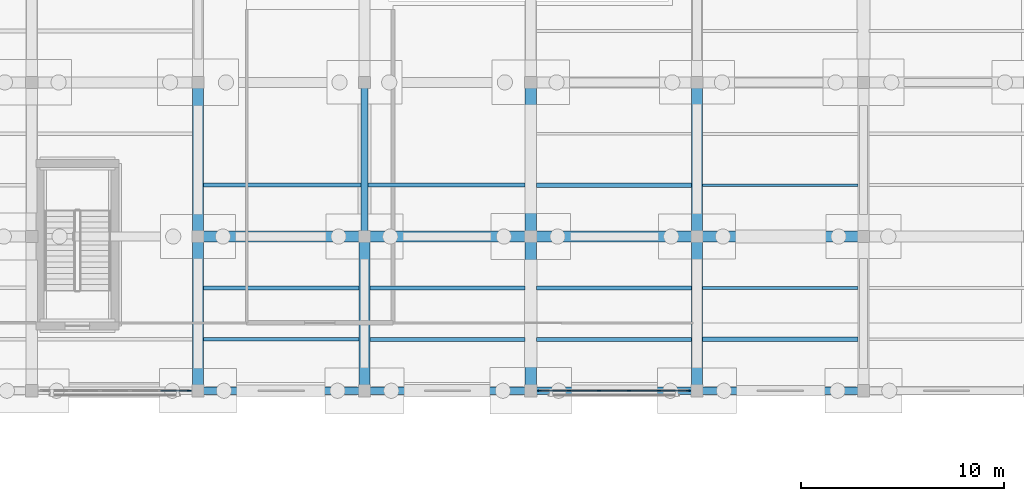
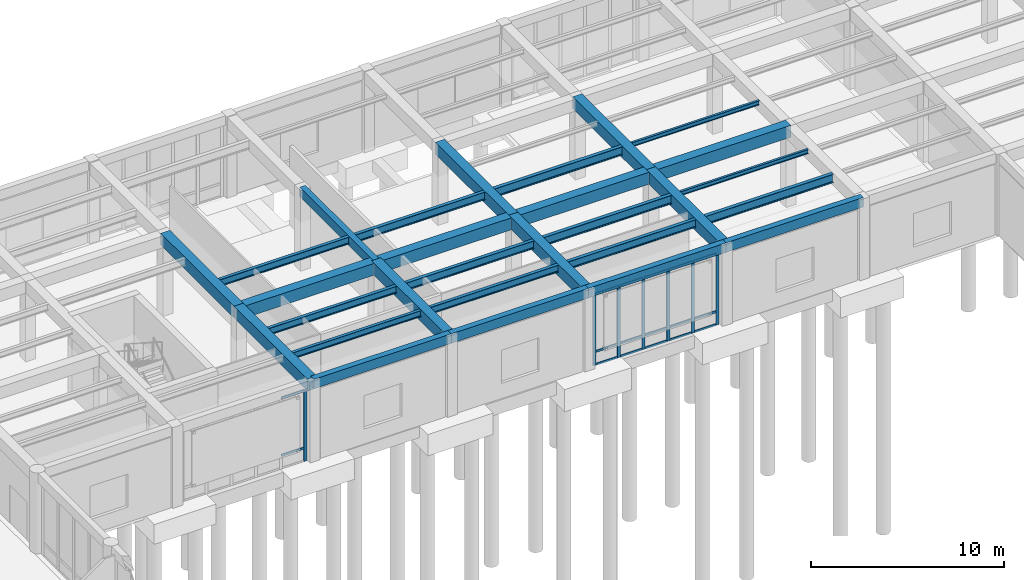
# One storey, part 27 of 64: 28 beams, 24 members, 2 elements without a shape of their own.
"""IFC4 building model written with IfcOpenShell, lengths in metres."""

from ifc_helpers import new_model, si_unit, direction, frame, origin, origin_2d, place, context, subcontext, project, spatial, rectangle, i_section, extrude, material, material_profile, profile_set, type_object, element, aggregate, save


model = new_model("IFC4")

# Units and contexts
model_context = context("Model", 3, precision=1e-05, world=origin(), true_north=direction((0.0, 1.0)))
body_context = subcontext(model_context, "Body", "Model", "MODEL_VIEW")
ifc_project = project(units=[si_unit("LENGTHUNIT", "METRE"), si_unit("AREAUNIT", "SQUARE_METRE"), si_unit("VOLUMEUNIT", "CUBIC_METRE"), si_unit("PLANEANGLEUNIT", "RADIAN"), si_unit("MASSUNIT", "GRAM", prefix="KILO")], contexts=[model_context])

# Site, building, storey
site_placement = place(None, origin())
site = spatial("IfcSite", under=ifc_project, at=site_placement, CompositionType="ELEMENT")
building_placement = place(site_placement, origin())
building = spatial("IfcBuilding", under=site, at=building_placement, Name="Qandaris Square Conservatory and Botanical Centre", CompositionType="ELEMENT")
storey_placement = place(building_placement, origin())
storey = spatial("IfcBuildingStorey", under=building, at=storey_placement, Name="L00", CompositionType="ELEMENT", Elevation=0.0)

# Beams
ifc_material_1 = material(Name="Steel S355", Category="steel")
ifc_material_profile_1 = material_profile(ifc_material_1, i_section(OverallWidth=0.18994140625, OverallDepth=0.449951171875, WebThickness=0.009521484375, FlangeThickness=0.0146484375, FilletRadius=0.02099609375, at=origin_2d()), Name="IPE 450")
ifc_profile_set_1 = profile_set([ifc_material_profile_1], Name="Steel S355")
beam_type_1 = type_object("IfcBeamType", Name="Composite Archive Joist IPE 450", PredefinedType="JOIST", material=ifc_profile_set_1)
beam_1_placement = place(storey_placement, frame((73.875, 97.666748046875, 4.864990234375), z_axis=(1.0, 0.0, 0.0), x_axis=(0.0, 1.0, 0.0)))
element("IfcBeam", 1, at=beam_1_placement, inside=storey, type_object=beam_type_1, Name="L00 Composite Joist 0728", PredefinedType="JOIST", context=body_context, shape_type="SweptSolid", body=[
    extrude(i_section(OverallWidth=0.18994140625, OverallDepth=0.449951171875, WebThickness=0.009521484375, FlangeThickness=0.0146484375, FilletRadius=0.02099609375, at=origin_2d()), origin(), (0.0, 0.0, 1.0), 7.64990234375),
])
beam_2_placement = place(storey_placement, frame((73.875, 102.7333984375, 4.864990234375), z_axis=(1.0, 0.0, 0.0), x_axis=(0.0, 1.0, 0.0)))
element("IfcBeam", 2, at=beam_2_placement, inside=storey, type_object=beam_type_1, Name="L00 Composite Joist 0729", PredefinedType="JOIST", context=body_context, shape_type="SweptSolid", body=[
    extrude(i_section(OverallWidth=0.18994140625, OverallDepth=0.449951171875, WebThickness=0.009521484375, FlangeThickness=0.0146484375, FilletRadius=0.02099609375, at=origin_2d()), origin(), (0.0, 0.0, 1.0), 7.75),
])
beam_3_placement = place(storey_placement, frame((82.074951171875, 95.13330078125, 4.864990234375), z_axis=(1.0, 0.0, 0.0), x_axis=(0.0, 1.0, 0.0)))
element("IfcBeam", 3, at=beam_3_placement, inside=storey, type_object=beam_type_1, Name="L00 Composite Joist 0731", PredefinedType="JOIST", context=body_context, shape_type="SweptSolid", body=[
    extrude(i_section(OverallWidth=0.18994140625, OverallDepth=0.449951171875, WebThickness=0.009521484375, FlangeThickness=0.0146484375, FilletRadius=0.02099609375, at=origin_2d()), origin(), (0.0, 0.0, 1.0), 7.650146484375),
])
ifc_material_profile_2 = material_profile(ifc_material_1, i_section(OverallWidth=0.199951171875, OverallDepth=0.5, WebThickness=0.01025390625, FlangeThickness=0.01611328125, FilletRadius=0.02099609375, at=origin_2d()), Name="IPE 500")
ifc_profile_set_2 = profile_set([ifc_material_profile_2], Name="Steel S355")
beam_type_2 = type_object("IfcBeamType", Name="Composite Gallery Joist IPE 500", PredefinedType="JOIST", material=ifc_profile_set_2)
beam_4_placement = place(storey_placement, frame((82.074951171875, 97.666748046875, 4.840087890625), z_axis=(1.0, 0.0, 0.0), x_axis=(0.0, 1.0, 0.0)))
element("IfcBeam", 4, at=beam_4_placement, inside=storey, type_object=beam_type_2, Name="L00 Composite Joist 0732", PredefinedType="JOIST", context=body_context, shape_type="SweptSolid", body=[
    extrude(i_section(OverallWidth=0.199951171875, OverallDepth=0.5, WebThickness=0.01025390625, FlangeThickness=0.01611328125, FilletRadius=0.02099609375, at=origin_2d()), origin(), (0.0, 0.0, 1.0), 7.650146484375),
])
beam_5_placement = place(storey_placement, frame((81.97509765625, 102.7333984375, 4.840087890625), z_axis=(1.0, 0.0, 0.0), x_axis=(0.0, 1.0, 0.0)))
element("IfcBeam", 5, at=beam_5_placement, inside=storey, type_object=beam_type_2, Name="L00 Composite Joist 0733", PredefinedType="JOIST", context=body_context, shape_type="SweptSolid", body=[
    extrude(i_section(OverallWidth=0.199951171875, OverallDepth=0.5, WebThickness=0.01025390625, FlangeThickness=0.01611328125, FilletRadius=0.02099609375, at=origin_2d()), origin(), (0.0, 0.0, 1.0), 7.75),
])
beam_6_placement = place(storey_placement, frame((90.27490234375, 95.13330078125, 4.840087890625), z_axis=(1.0, 0.0, 0.0), x_axis=(0.0, 1.0, 0.0)))
element("IfcBeam", 6, at=beam_6_placement, inside=storey, type_object=beam_type_2, Name="L00 Composite Joist 0735", PredefinedType="JOIST", context=body_context, shape_type="SweptSolid", body=[
    extrude(i_section(OverallWidth=0.199951171875, OverallDepth=0.5, WebThickness=0.01025390625, FlangeThickness=0.01611328125, FilletRadius=0.02099609375, at=origin_2d()), origin(), (0.0, 0.0, 1.0), 7.650146484375),
])
ifc_material_profile_3 = material_profile(ifc_material_1, i_section(OverallWidth=0.179931640625, OverallDepth=0.39990234375, WebThickness=0.008544921875, FlangeThickness=0.013427734375, FilletRadius=0.02099609375, at=origin_2d()), Name="IPE 400")
ifc_profile_set_3 = profile_set([ifc_material_profile_3], Name="Steel S355")
beam_type_3 = type_object("IfcBeamType", Name="Composite Plinth Joist IPE 400", PredefinedType="JOIST", material=ifc_profile_set_3)
beam_7_placement = place(storey_placement, frame((73.875, 95.13330078125, 4.889892578125), z_axis=(1.0, 0.0, 0.0), x_axis=(0.0, 1.0, 0.0)))
element("IfcBeam", 7, at=beam_7_placement, inside=storey, type_object=beam_type_3, Name="L00 Composite Joist 0727", PredefinedType="JOIST", context=body_context, shape_type="SweptSolid", body=[
    extrude(i_section(OverallWidth=0.179931640625, OverallDepth=0.39990234375, WebThickness=0.008544921875, FlangeThickness=0.013427734375, FilletRadius=0.02099609375, at=origin_2d()), origin(), (0.0, 0.0, 1.0), 7.64990234375),
])

# Curtain wall, member
ifc_material_2 = material(Name="Anodised Aluminium", Category="aluminium")
curtain_wall_type = type_object("IfcCurtainWallType", Name="Unitised Curtain Wall CW-5-740x450", PredefinedType="USERDEFINED", material=ifc_material_2)
curtain_wall_1_placement = place(storey_placement, origin())
curtain_wall_1 = element("IfcCurtainWall", 8, at=curtain_wall_1_placement, inside=storey, type_object=curtain_wall_type, Name="Curtain Wall CW-V3B-L00-1-2", ObjectType="GLAZED CURTAIN WALL", PredefinedType="USERDEFINED")
ifc_material_profile_4 = material_profile(ifc_material_2, rectangle(XDim=0.06494140625, YDim=0.179931640625, at=origin_2d()), Name="ALU-MUL 65x180")
ifc_profile_set_4 = profile_set([ifc_material_profile_4], Name="Anodised Aluminium")
member_type_1 = type_object("IfcMemberType", Name="Curtain Wall Mullion 65x180", PredefinedType="MULLION", material=ifc_profile_set_4)
member_1_placement = place(storey_placement, frame((73.16748046875, 92.60009765625, 0.0), z_axis=(0.0, 0.0, 1.0), x_axis=(0.0, 1.0, 0.0)))
member_1 = element("IfcMember", 9, at=member_1_placement, type_object=member_type_1, Name="CW-5-740x450 mullion 6", PredefinedType="MULLION", context=body_context, shape_type="SweptSolid", body=[
    extrude(rectangle(XDim=0.06494140625, YDim=0.179931640625, at=origin_2d()), origin(), (0.0, 0.0, 1.0), 4.5),
])

# Curtain wall, members
curtain_wall_2_placement = place(storey_placement, origin())
curtain_wall_2 = element("IfcCurtainWall", 10, at=curtain_wall_2_placement, inside=storey, type_object=curtain_wall_type, Name="Curtain Wall CW-V3B-L00-1-5", ObjectType="GLAZED CURTAIN WALL", PredefinedType="USERDEFINED")
member_2_placement = place(storey_placement, frame((90.4326171875, 92.60009765625, 0.0), z_axis=(0.0, 0.0, 1.0), x_axis=(0.0, 1.0, 0.0)))
member_2 = element("IfcMember", 11, at=member_2_placement, type_object=member_type_1, Name="CW-5-740x450 mullion 1", PredefinedType="MULLION", context=body_context, shape_type="SweptSolid", body=[
    extrude(rectangle(XDim=0.06494140625, YDim=0.179931640625, at=origin_2d()), origin(), (0.0, 0.0, 1.0), 4.5),
])
member_3_placement = place(storey_placement, frame((91.8798828125, 92.60009765625, 0.0), z_axis=(0.0, 0.0, 1.0), x_axis=(0.0, 1.0, 0.0)))
member_3 = element("IfcMember", 12, at=member_3_placement, type_object=member_type_1, Name="CW-5-740x450 mullion 2", PredefinedType="MULLION", context=body_context, shape_type="SweptSolid", body=[
    extrude(rectangle(XDim=0.06494140625, YDim=0.179931640625, at=origin_2d()), origin(), (0.0, 0.0, 1.0), 4.5),
])
member_4_placement = place(storey_placement, frame((93.360107421875, 92.60009765625, 0.0), z_axis=(0.0, 0.0, 1.0), x_axis=(0.0, 1.0, 0.0)))
member_4 = element("IfcMember", 13, at=member_4_placement, type_object=member_type_1, Name="CW-5-740x450 mullion 3", PredefinedType="MULLION", context=body_context, shape_type="SweptSolid", body=[
    extrude(rectangle(XDim=0.06494140625, YDim=0.179931640625, at=origin_2d()), origin(), (0.0, 0.0, 1.0), 4.5),
])
member_5_placement = place(storey_placement, frame((94.840087890625, 92.60009765625, 0.0), z_axis=(0.0, 0.0, 1.0), x_axis=(0.0, 1.0, 0.0)))
member_5 = element("IfcMember", 14, at=member_5_placement, type_object=member_type_1, Name="CW-5-740x450 mullion 4", PredefinedType="MULLION", context=body_context, shape_type="SweptSolid", body=[
    extrude(rectangle(XDim=0.06494140625, YDim=0.179931640625, at=origin_2d()), origin(), (0.0, 0.0, 1.0), 4.5),
])
member_6_placement = place(storey_placement, frame((96.320068359375, 92.60009765625, 0.0), z_axis=(0.0, 0.0, 1.0), x_axis=(0.0, 1.0, 0.0)))
member_6 = element("IfcMember", 15, at=member_6_placement, type_object=member_type_1, Name="CW-5-740x450 mullion 5", PredefinedType="MULLION", context=body_context, shape_type="SweptSolid", body=[
    extrude(rectangle(XDim=0.06494140625, YDim=0.179931640625, at=origin_2d()), origin(), (0.0, 0.0, 1.0), 4.5),
])
member_7_placement = place(storey_placement, frame((97.767578125, 92.60009765625, 0.0), z_axis=(0.0, 0.0, 1.0), x_axis=(0.0, 1.0, 0.0)))
member_7 = element("IfcMember", 16, at=member_7_placement, type_object=member_type_1, Name="CW-5-740x450 mullion 6", PredefinedType="MULLION", context=body_context, shape_type="SweptSolid", body=[
    extrude(rectangle(XDim=0.06494140625, YDim=0.179931640625, at=origin_2d()), origin(), (0.0, 0.0, 1.0), 4.5),
])

# Member
ifc_material_profile_5 = material_profile(ifc_material_2, rectangle(XDim=0.06494140625, YDim=0.139892578125, at=origin_2d()), Name="ALU-TRN 65x140")
ifc_profile_set_5 = profile_set([ifc_material_profile_5], Name="Anodised Aluminium")
member_type_2 = type_object("IfcMemberType", Name="Curtain Wall Transom 65x140", PredefinedType="USERDEFINED", material=ifc_profile_set_5)
member_8_placement = place(storey_placement, frame((71.75244140625, 92.60009765625, 0.85009765625), z_axis=(1.0, 0.0, 0.0), x_axis=(0.0, 1.0, 0.0)))
member_8 = element("IfcMember", 17, at=member_8_placement, type_object=member_type_2, Name="CW-5-740x450 transom 5.2", ObjectType="TRANSOM", PredefinedType="USERDEFINED", context=body_context, shape_type="SweptSolid", body=[
    extrude(rectangle(XDim=0.06494140625, YDim=0.139892578125, at=origin_2d()), origin(), (0.0, 0.0, 1.0), 1.382568359375),
])

member_9_placement = place(storey_placement, frame((71.75244140625, 92.60009765625, 4.467529296875), z_axis=(1.0, 0.0, 0.0), x_axis=(0.0, 1.0, 0.0)))
member_9 = element("IfcMember", 18, at=member_9_placement, type_object=member_type_2, Name="CW-5-740x450 transom 5.3", ObjectType="TRANSOM", PredefinedType="USERDEFINED", context=body_context, shape_type="SweptSolid", body=[
    extrude(rectangle(XDim=0.06494140625, YDim=0.139892578125, at=origin_2d()), origin(), (0.0, 0.0, 1.0), 1.382568359375),
])

aggregate(curtain_wall_1, [member_1, member_8, member_9])

member_10_placement = place(storey_placement, frame((90.465087890625, 92.60009765625, 0.032470703125), z_axis=(1.0, 0.0, 0.0), x_axis=(0.0, 1.0, 0.0)))
member_10 = element("IfcMember", 19, at=member_10_placement, type_object=member_type_2, Name="CW-5-740x450 transom 1.1", ObjectType="TRANSOM", PredefinedType="USERDEFINED", context=body_context, shape_type="SweptSolid", body=[
    extrude(rectangle(XDim=0.06494140625, YDim=0.139892578125, at=origin_2d()), origin(), (0.0, 0.0, 1.0), 1.38232421875),
])

member_11_placement = place(storey_placement, frame((90.465087890625, 92.60009765625, 0.85009765625), z_axis=(1.0, 0.0, 0.0), x_axis=(0.0, 1.0, 0.0)))
member_11 = element("IfcMember", 20, at=member_11_placement, type_object=member_type_2, Name="CW-5-740x450 transom 1.2", ObjectType="TRANSOM", PredefinedType="USERDEFINED", context=body_context, shape_type="SweptSolid", body=[
    extrude(rectangle(XDim=0.06494140625, YDim=0.139892578125, at=origin_2d()), origin(), (0.0, 0.0, 1.0), 1.38232421875),
])

member_12_placement = place(storey_placement, frame((90.465087890625, 92.60009765625, 4.467529296875), z_axis=(1.0, 0.0, 0.0), x_axis=(0.0, 1.0, 0.0)))
member_12 = element("IfcMember", 21, at=member_12_placement, type_object=member_type_2, Name="CW-5-740x450 transom 1.3", ObjectType="TRANSOM", PredefinedType="USERDEFINED", context=body_context, shape_type="SweptSolid", body=[
    extrude(rectangle(XDim=0.06494140625, YDim=0.139892578125, at=origin_2d()), origin(), (0.0, 0.0, 1.0), 1.38232421875),
])

member_13_placement = place(storey_placement, frame((91.91259765625, 92.60009765625, 0.032470703125), z_axis=(1.0, 0.0, 0.0), x_axis=(0.0, 1.0, 0.0)))
member_13 = element("IfcMember", 22, at=member_13_placement, type_object=member_type_2, Name="CW-5-740x450 transom 2.1", ObjectType="TRANSOM", PredefinedType="USERDEFINED", context=body_context, shape_type="SweptSolid", body=[
    extrude(rectangle(XDim=0.06494140625, YDim=0.139892578125, at=origin_2d()), origin(), (0.0, 0.0, 1.0), 1.414794921875),
])

member_14_placement = place(storey_placement, frame((91.91259765625, 92.60009765625, 0.85009765625), z_axis=(1.0, 0.0, 0.0), x_axis=(0.0, 1.0, 0.0)))
member_14 = element("IfcMember", 23, at=member_14_placement, type_object=member_type_2, Name="CW-5-740x450 transom 2.2", ObjectType="TRANSOM", PredefinedType="USERDEFINED", context=body_context, shape_type="SweptSolid", body=[
    extrude(rectangle(XDim=0.06494140625, YDim=0.139892578125, at=origin_2d()), origin(), (0.0, 0.0, 1.0), 1.414794921875),
])

member_15_placement = place(storey_placement, frame((91.91259765625, 92.60009765625, 4.467529296875), z_axis=(1.0, 0.0, 0.0), x_axis=(0.0, 1.0, 0.0)))
member_15 = element("IfcMember", 24, at=member_15_placement, type_object=member_type_2, Name="CW-5-740x450 transom 2.3", ObjectType="TRANSOM", PredefinedType="USERDEFINED", context=body_context, shape_type="SweptSolid", body=[
    extrude(rectangle(XDim=0.06494140625, YDim=0.139892578125, at=origin_2d()), origin(), (0.0, 0.0, 1.0), 1.414794921875),
])

member_16_placement = place(storey_placement, frame((93.392578125, 92.60009765625, 0.032470703125), z_axis=(1.0, 0.0, 0.0), x_axis=(0.0, 1.0, 0.0)))
member_16 = element("IfcMember", 25, at=member_16_placement, type_object=member_type_2, Name="CW-5-740x450 transom 3.1", ObjectType="TRANSOM", PredefinedType="USERDEFINED", context=body_context, shape_type="SweptSolid", body=[
    extrude(rectangle(XDim=0.06494140625, YDim=0.139892578125, at=origin_2d()), origin(), (0.0, 0.0, 1.0), 1.4150390625),
])

member_17_placement = place(storey_placement, frame((93.392578125, 92.60009765625, 0.85009765625), z_axis=(1.0, 0.0, 0.0), x_axis=(0.0, 1.0, 0.0)))
member_17 = element("IfcMember", 26, at=member_17_placement, type_object=member_type_2, Name="CW-5-740x450 transom 3.2", ObjectType="TRANSOM", PredefinedType="USERDEFINED", context=body_context, shape_type="SweptSolid", body=[
    extrude(rectangle(XDim=0.06494140625, YDim=0.139892578125, at=origin_2d()), origin(), (0.0, 0.0, 1.0), 1.4150390625),
])

member_18_placement = place(storey_placement, frame((93.392578125, 92.60009765625, 4.467529296875), z_axis=(1.0, 0.0, 0.0), x_axis=(0.0, 1.0, 0.0)))
member_18 = element("IfcMember", 27, at=member_18_placement, type_object=member_type_2, Name="CW-5-740x450 transom 3.3", ObjectType="TRANSOM", PredefinedType="USERDEFINED", context=body_context, shape_type="SweptSolid", body=[
    extrude(rectangle(XDim=0.06494140625, YDim=0.139892578125, at=origin_2d()), origin(), (0.0, 0.0, 1.0), 1.4150390625),
])

member_19_placement = place(storey_placement, frame((94.87255859375, 92.60009765625, 0.032470703125), z_axis=(1.0, 0.0, 0.0), x_axis=(0.0, 1.0, 0.0)))
member_19 = element("IfcMember", 28, at=member_19_placement, type_object=member_type_2, Name="CW-5-740x450 transom 4.1", ObjectType="TRANSOM", PredefinedType="USERDEFINED", context=body_context, shape_type="SweptSolid", body=[
    extrude(rectangle(XDim=0.06494140625, YDim=0.139892578125, at=origin_2d()), origin(), (0.0, 0.0, 1.0), 1.4150390625),
])

member_20_placement = place(storey_placement, frame((94.87255859375, 92.60009765625, 0.85009765625), z_axis=(1.0, 0.0, 0.0), x_axis=(0.0, 1.0, 0.0)))
member_20 = element("IfcMember", 29, at=member_20_placement, type_object=member_type_2, Name="CW-5-740x450 transom 4.2", ObjectType="TRANSOM", PredefinedType="USERDEFINED", context=body_context, shape_type="SweptSolid", body=[
    extrude(rectangle(XDim=0.06494140625, YDim=0.139892578125, at=origin_2d()), origin(), (0.0, 0.0, 1.0), 1.4150390625),
])

member_21_placement = place(storey_placement, frame((94.87255859375, 92.60009765625, 4.467529296875), z_axis=(1.0, 0.0, 0.0), x_axis=(0.0, 1.0, 0.0)))
member_21 = element("IfcMember", 30, at=member_21_placement, type_object=member_type_2, Name="CW-5-740x450 transom 4.3", ObjectType="TRANSOM", PredefinedType="USERDEFINED", context=body_context, shape_type="SweptSolid", body=[
    extrude(rectangle(XDim=0.06494140625, YDim=0.139892578125, at=origin_2d()), origin(), (0.0, 0.0, 1.0), 1.4150390625),
])

member_22_placement = place(storey_placement, frame((96.3525390625, 92.60009765625, 0.032470703125), z_axis=(1.0, 0.0, 0.0), x_axis=(0.0, 1.0, 0.0)))
member_22 = element("IfcMember", 31, at=member_22_placement, type_object=member_type_2, Name="CW-5-740x450 transom 5.1", ObjectType="TRANSOM", PredefinedType="USERDEFINED", context=body_context, shape_type="SweptSolid", body=[
    extrude(rectangle(XDim=0.06494140625, YDim=0.139892578125, at=origin_2d()), origin(), (0.0, 0.0, 1.0), 1.382568359375),
])

member_23_placement = place(storey_placement, frame((96.3525390625, 92.60009765625, 0.85009765625), z_axis=(1.0, 0.0, 0.0), x_axis=(0.0, 1.0, 0.0)))
member_23 = element("IfcMember", 32, at=member_23_placement, type_object=member_type_2, Name="CW-5-740x450 transom 5.2", ObjectType="TRANSOM", PredefinedType="USERDEFINED", context=body_context, shape_type="SweptSolid", body=[
    extrude(rectangle(XDim=0.06494140625, YDim=0.139892578125, at=origin_2d()), origin(), (0.0, 0.0, 1.0), 1.382568359375),
])

member_24_placement = place(storey_placement, frame((96.3525390625, 92.60009765625, 4.467529296875), z_axis=(1.0, 0.0, 0.0), x_axis=(0.0, 1.0, 0.0)))
member_24 = element("IfcMember", 33, at=member_24_placement, type_object=member_type_2, Name="CW-5-740x450 transom 5.3", ObjectType="TRANSOM", PredefinedType="USERDEFINED", context=body_context, shape_type="SweptSolid", body=[
    extrude(rectangle(XDim=0.06494140625, YDim=0.139892578125, at=origin_2d()), origin(), (0.0, 0.0, 1.0), 1.382568359375),
])

aggregate(curtain_wall_2, [member_2, member_3, member_4, member_5, member_6, member_7, member_10, member_11, member_12, member_13, member_14, member_15, member_16, member_17, member_18, member_19, member_20, member_21, member_22, member_23, member_24])

# Beams
ifc_material_profile_6 = material_profile(ifc_material_1, i_section(OverallWidth=0.2099609375, OverallDepth=0.550048828125, WebThickness=0.010986328125, FlangeThickness=0.01708984375, FilletRadius=0.02392578125, at=origin_2d()), Name="IPE 550")
ifc_profile_set_6 = profile_set([ifc_material_profile_6], Name="Steel S355")
beam_type_4 = type_object("IfcBeamType", Name="Long-Span Foyer Joist IPE 550", PredefinedType="JOIST", material=ifc_profile_set_6)
for number, where, z_axis, x_axis, name in (
    (34, (90.27490234375, 97.666748046875, 4.81494140625), (1.0, 0.0, 0.0), (0.0, 1.0, 0.0), "L00 Composite Joist 0736"),
    (35, (90.27490234375, 102.7333984375, 4.81494140625), (1.0, 0.0, 0.0), (0.0, 1.0, 0.0), "L00 Composite Joist 0737"),
):
    element("IfcBeam", number, at=place(storey_placement, frame(where, z_axis=z_axis, x_axis=x_axis)), inside=storey, type_object=beam_type_4, Name=name, PredefinedType="JOIST", context=body_context, shape_type="SweptSolid", body=[
        extrude(i_section(OverallWidth=0.2099609375, OverallDepth=0.550048828125, WebThickness=0.010986328125, FlangeThickness=0.01708984375, FilletRadius=0.02392578125, at=origin_2d()), origin(), (0.0, 0.0, 1.0), 7.650146484375),
    ])
beam_8_placement = place(storey_placement, frame((98.47509765625, 95.13330078125, 4.81494140625), z_axis=(1.0, 0.0, 0.0), x_axis=(0.0, 1.0, 0.0)))
element("IfcBeam", 36, at=beam_8_placement, inside=storey, type_object=beam_type_4, Name="L00 Composite Joist 0747", PredefinedType="JOIST", context=body_context, shape_type="SweptSolid", body=[
    extrude(i_section(OverallWidth=0.2099609375, OverallDepth=0.550048828125, WebThickness=0.010986328125, FlangeThickness=0.01708984375, FilletRadius=0.02392578125, at=origin_2d()), origin(), (0.0, 0.0, 1.0), 7.64990234375),
])
ifc_material_3 = material(Name="Concrete C50/60", Category="concrete")
ifc_material_profile_7 = material_profile(ifc_material_3, rectangle(XDim=0.35009765625, YDim=0.60009765625, at=origin_2d()), Name="RC-SP 350x600")
ifc_profile_set_7 = profile_set([ifc_material_profile_7], Name="Concrete C50/60")
beam_type_5 = type_object("IfcBeamType", Name="RC Edge Spandrel Beam 350x600", PredefinedType="SPANDREL", material=ifc_profile_set_7)
for number, where, z_axis, x_axis, name in (
    (37, (73.60009765625, 92.60009765625, 4.800048828125), (1.0, 0.0, 0.0), (0.0, 1.0, 0.0), "L00 Frame Beam 0445"),
    (38, (81.800048828125, 92.60009765625, 4.800048828125), (1.0, 0.0, 0.0), (0.0, 1.0, 0.0), "L00 Frame Beam 0446"),
    (39, (90.0, 92.60009765625, 4.800048828125), (1.0, 0.0, 0.0), (0.0, 1.0, 0.0), "L00 Frame Beam 0447"),
    (40, (98.199951171875, 92.60009765625, 4.800048828125), (1.0, 0.0, 0.0), (0.0, 1.0, 0.0), "L00 Frame Beam 0448"),
):
    element("IfcBeam", number, at=place(storey_placement, frame(where, z_axis=z_axis, x_axis=x_axis)), inside=storey, type_object=beam_type_5, Name=name, PredefinedType="SPANDREL", context=body_context, shape_type="SweptSolid", body=[
        extrude(rectangle(XDim=0.35009765625, YDim=0.60009765625, at=origin_2d()), origin(), (0.0, 0.0, 1.0), 8.199951171875),
    ])
beam_9_placement = place(storey_placement, frame((81.800048828125, 100.199951171875, 4.800048828125), z_axis=(0.0, 1.0, 0.0), x_axis=(-1.0, 0.0, 0.0)))
element("IfcBeam", 41, at=beam_9_placement, inside=storey, type_object=beam_type_5, Name="L00 Frame Beam 0569", PredefinedType="SPANDREL", context=body_context, shape_type="SweptSolid", body=[
    extrude(rectangle(XDim=0.35009765625, YDim=0.60009765625, at=origin_2d()), origin(), (0.0, 0.0, 1.0), 7.60009765625),
])
ifc_material_profile_8 = material_profile(ifc_material_3, rectangle(XDim=0.550048828125, YDim=0.75, at=origin_2d()), Name="RC-BM 550x750")
ifc_profile_set_8 = profile_set([ifc_material_profile_8], Name="Concrete C50/60")
beam_type_6 = type_object("IfcBeamType", Name="RC Plinth Girder 550x750", PredefinedType="BEAM", material=ifc_profile_set_8)
for number, where, z_axis, x_axis, name in (
    (42, (73.60009765625, 100.199951171875, 4.72509765625), (1.0, 0.0, 0.0), (0.0, 1.0, 0.0), "L00 Frame Beam 0459"),
    (43, (81.800048828125, 100.199951171875, 4.72509765625), (1.0, 0.0, 0.0), (0.0, 1.0, 0.0), "L00 Frame Beam 0460"),
    (44, (90.0, 100.199951171875, 4.72509765625), (1.0, 0.0, 0.0), (0.0, 1.0, 0.0), "L00 Frame Beam 0461"),
    (45, (98.199951171875, 100.199951171875, 4.72509765625), (1.0, 0.0, 0.0), (0.0, 1.0, 0.0), "L00 Frame Beam 0462"),
):
    element("IfcBeam", number, at=place(storey_placement, frame(where, z_axis=z_axis, x_axis=x_axis)), inside=storey, type_object=beam_type_6, Name=name, PredefinedType="BEAM", context=body_context, shape_type="SweptSolid", body=[
        extrude(rectangle(XDim=0.550048828125, YDim=0.75, at=origin_2d()), origin(), (0.0, 0.0, 1.0), 8.199951171875),
    ])
beam_10_placement = place(storey_placement, frame((73.60009765625, 92.60009765625, 4.72509765625), z_axis=(0.0, 1.0, 0.0), x_axis=(-1.0, 0.0, 0.0)))
element("IfcBeam", 46, at=beam_10_placement, inside=storey, type_object=beam_type_6, Name="L00 Frame Beam 0564", PredefinedType="BEAM", context=body_context, shape_type="SweptSolid", body=[
    extrude(rectangle(XDim=0.550048828125, YDim=0.75, at=origin_2d()), origin(), (0.0, 0.0, 1.0), 7.599853515625),
])
beam_11_placement = place(storey_placement, frame((73.60009765625, 100.199951171875, 4.72509765625), z_axis=(0.0, 1.0, 0.0), x_axis=(-1.0, 0.0, 0.0)))
element("IfcBeam", 47, at=beam_11_placement, inside=storey, type_object=beam_type_6, Name="L00 Frame Beam 0565", PredefinedType="BEAM", context=body_context, shape_type="SweptSolid", body=[
    extrude(rectangle(XDim=0.550048828125, YDim=0.75, at=origin_2d()), origin(), (0.0, 0.0, 1.0), 7.60009765625),
])
for number, where, z_axis, x_axis, name in (
    (48, (81.800048828125, 92.60009765625, 4.72509765625), (0.0, 1.0, 0.0), (-1.0, 0.0, 0.0), "L00 Frame Beam 0568"),
    (49, (90.0, 92.60009765625, 4.72509765625), (0.0, 1.0, 0.0), (-1.0, 0.0, 0.0), "L00 Frame Beam 0572"),
):
    element("IfcBeam", number, at=place(storey_placement, frame(where, z_axis=z_axis, x_axis=x_axis)), inside=storey, type_object=beam_type_6, Name=name, PredefinedType="BEAM", context=body_context, shape_type="SweptSolid", body=[
        extrude(rectangle(XDim=0.550048828125, YDim=0.75, at=origin_2d()), origin(), (0.0, 0.0, 1.0), 7.599853515625),
    ])
beam_12_placement = place(storey_placement, frame((90.0, 100.199951171875, 4.72509765625), z_axis=(0.0, 1.0, 0.0), x_axis=(-1.0, 0.0, 0.0)))
element("IfcBeam", 50, at=beam_12_placement, inside=storey, type_object=beam_type_6, Name="L00 Frame Beam 0573", PredefinedType="BEAM", context=body_context, shape_type="SweptSolid", body=[
    extrude(rectangle(XDim=0.550048828125, YDim=0.75, at=origin_2d()), origin(), (0.0, 0.0, 1.0), 7.60009765625),
])
beam_13_placement = place(storey_placement, frame((98.199951171875, 92.60009765625, 4.72509765625), z_axis=(0.0, 1.0, 0.0), x_axis=(-1.0, 0.0, 0.0)))
element("IfcBeam", 51, at=beam_13_placement, inside=storey, type_object=beam_type_6, Name="L00 Frame Beam 0579", PredefinedType="BEAM", context=body_context, shape_type="SweptSolid", body=[
    extrude(rectangle(XDim=0.550048828125, YDim=0.75, at=origin_2d()), origin(), (0.0, 0.0, 1.0), 7.599853515625),
])
beam_14_placement = place(storey_placement, frame((98.199951171875, 100.199951171875, 4.72509765625), z_axis=(0.0, 1.0, 0.0), x_axis=(-1.0, 0.0, 0.0)))
element("IfcBeam", 52, at=beam_14_placement, inside=storey, type_object=beam_type_6, Name="L00 Frame Beam 0580", PredefinedType="BEAM", context=body_context, shape_type="SweptSolid", body=[
    extrude(rectangle(XDim=0.550048828125, YDim=0.75, at=origin_2d()), origin(), (0.0, 0.0, 1.0), 7.60009765625),
])
ifc_material_profile_9 = material_profile(ifc_material_1, i_section(OverallWidth=0.135009765625, OverallDepth=0.27001953125, WebThickness=0.006591796875, FlangeThickness=0.01025390625, FilletRadius=0.014892578125, at=origin_2d()), Name="IPE 270")
ifc_profile_set_9 = profile_set([ifc_material_profile_9], Name="Steel S355")
beam_type_7 = type_object("IfcBeamType", Name="Steel Floor Joist IPE 270", PredefinedType="JOIST", material=ifc_profile_set_9)
for number, where, z_axis, x_axis, name in (
    (53, (98.47509765625, 97.666748046875, 4.955078125), (1.0, 0.0, 0.0), (0.0, 1.0, 0.0), "L00 Composite Joist 0748"),
    (54, (98.47509765625, 102.7333984375, 4.955078125), (1.0, 0.0, 0.0), (0.0, 1.0, 0.0), "L00 Composite Joist 0749"),
):
    element("IfcBeam", number, at=place(storey_placement, frame(where, z_axis=z_axis, x_axis=x_axis)), inside=storey, type_object=beam_type_7, Name=name, PredefinedType="JOIST", context=body_context, shape_type="SweptSolid", body=[
        extrude(i_section(OverallWidth=0.135009765625, OverallDepth=0.27001953125, WebThickness=0.006591796875, FlangeThickness=0.01025390625, FilletRadius=0.014892578125, at=origin_2d()), origin(), (0.0, 0.0, 1.0), 7.64990234375),
    ])

save(model, "model.ifc")
